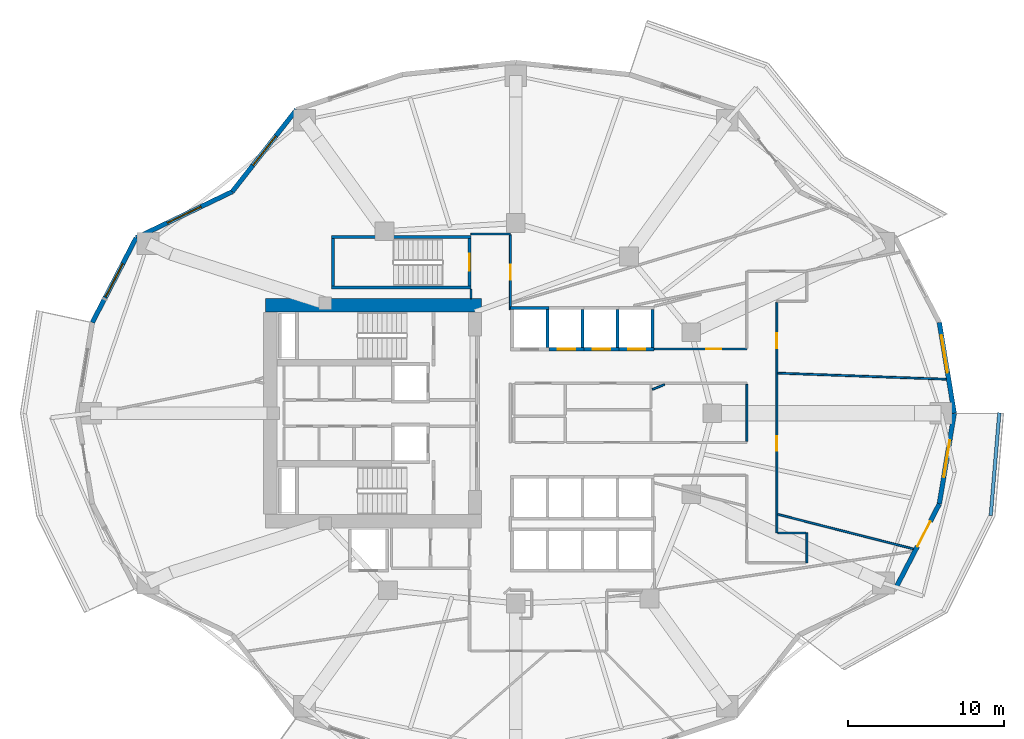
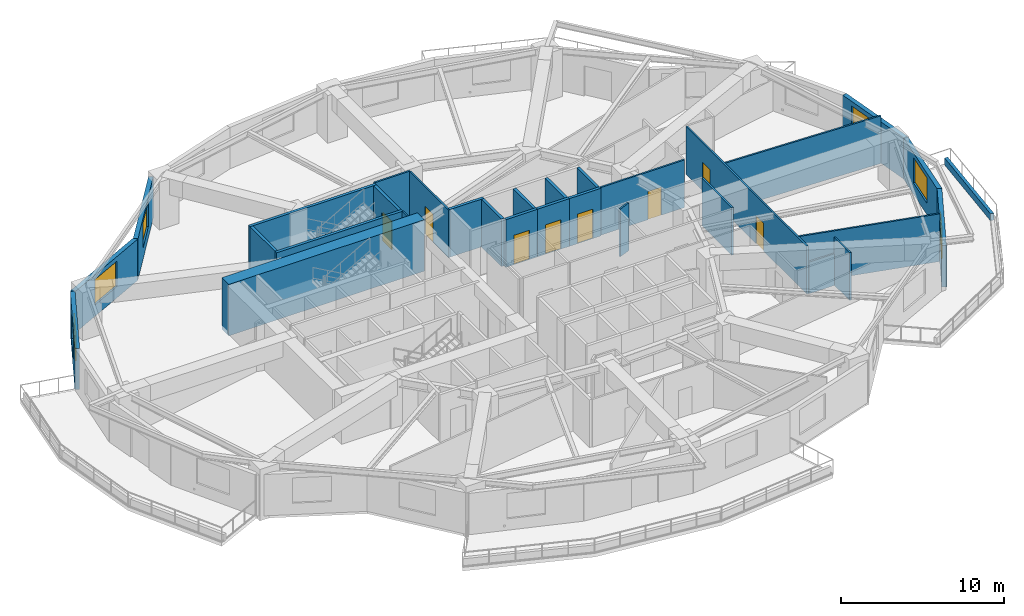
# One storey, part 6 of 13: 31 walls, 9 doors, 5 windows, 14 openings.
"""IFC4 building model written with IfcOpenShell, lengths in metres."""

import ifcopenshell
import ifcopenshell.guid

model = None  # the IFC model being written
_history = None  # IfcOwnerHistory: only IFC2X3 demands one
_inside = {}  # id of a spatial element -> (the spatial element, [elements in it])
_under = {}  # id of a project, library or spatial element -> (it, [spatial elements below it])
_declared = {}  # id of a project -> (the project, [libraries it declares])
_typed = {}  # id of a type object -> (the type object, [elements of that type])
_made_of = {}  # id of a material, layer set ... -> (it, [elements and type objects made of it])


def new_model(schema):
    """Start an empty IFC model of exactly this schema.

    Asked for "IFC4X3", IfcOpenShell would pick the latest addendum, in which some entities
    have other attributes; the version numbers below select the first issue.
    IFC2X3 requires an IfcOwnerHistory on every rooted entity: one is made here for all.
    """
    global model, _history
    if schema == "IFC4X3":
        model = ifcopenshell.file(schema_version=(4, 3, 0, 0))
    else:
        model = ifcopenshell.file(schema=schema)
    _inside.clear()
    _under.clear()
    _declared.clear()
    _typed.clear()
    _made_of.clear()
    _history = None
    if model.schema == "IFC2X3":
        org = make("IfcOrganization", Name="unknown")
        user = make(
            "IfcPersonAndOrganization",
            ThePerson=make("IfcPerson", FamilyName="unknown"),
            TheOrganization=org,
        )
        app = make(
            "IfcApplication",
            ApplicationDeveloper=org,
            Version="unknown",
            ApplicationFullName="unknown",
            ApplicationIdentifier="unknown",
        )
        _history = make(
            "IfcOwnerHistory",
            OwningUser=user,
            OwningApplication=app,
            ChangeAction="ADDED",
            CreationDate=0,
        )
    return model


def make(cls, **values):
    """One entity of the class cls with the attributes given. An attribute that is None is left unset."""
    return model.create_entity(
        cls, **{name: value for name, value in values.items() if value is not None}
    )


def rooted(cls, **values):
    """An entity with a GlobalId (a new one), such as an element, a storey or a relation."""
    return make(cls, GlobalId=ifcopenshell.guid.new(), OwnerHistory=_history, **values)


def si_unit(unit_type, name, prefix=None):
    """IfcSIUnit, for example si_unit("LENGTHUNIT", "METRE", prefix="MILLI")."""
    return make("IfcSIUnit", UnitType=unit_type, Prefix=prefix, Name=name)


def assignment(units):
    """IfcUnitAssignment: the units of a project."""
    return None if units is None else make("IfcUnitAssignment", Units=units)


def point(xyz):
    """IfcCartesianPoint."""
    return None if xyz is None else make("IfcCartesianPoint", Coordinates=xyz)


def direction(xyz):
    """IfcDirection."""
    return None if xyz is None else make("IfcDirection", DirectionRatios=xyz)


def frame(location, z_axis=None, x_axis=None):
    """IfcAxis2Placement3D, a coordinate frame: its origin and axes. An axis left out is left unset."""
    return make(
        "IfcAxis2Placement3D",
        Location=point(location),
        Axis=direction(z_axis),
        RefDirection=direction(x_axis),
    )


def frame_2d(location, x_axis=None):
    """IfcAxis2Placement2D, a coordinate frame in the plane: its origin and x axis."""
    return make(
        "IfcAxis2Placement2D", Location=point(location), RefDirection=direction(x_axis)
    )


def origin():
    """The frame at (0, 0, 0) with its axes left unset."""
    return frame((0.0, 0.0, 0.0))


def place(relative_to, where):
    """IfcLocalPlacement: puts the frame where relative to a parent placement (None: the world)."""
    return make(
        "IfcLocalPlacement", PlacementRelTo=relative_to, RelativePlacement=where
    )


def context(
    kind, dimensions, precision=None, world=None, true_north=None, identifier=None
):
    """IfcGeometricRepresentationContext, for example the 3D "Model" context."""
    return make(
        "IfcGeometricRepresentationContext",
        ContextIdentifier=identifier,
        ContextType=kind,
        CoordinateSpaceDimension=dimensions,
        Precision=precision,
        WorldCoordinateSystem=world,
        TrueNorth=true_north,
    )


def subcontext(parent, identifier, kind, view, scale=None):
    """IfcGeometricRepresentationSubContext, for example "Body" below "Model"."""
    return make(
        "IfcGeometricRepresentationSubContext",
        ContextIdentifier=identifier,
        ContextType=kind,
        ParentContext=parent,
        TargetScale=scale,
        TargetView=view,
    )


def project(units=None, contexts=None):
    """IfcProject with its units and contexts."""
    return rooted(
        "IfcProject",
        Name="project",
        RepresentationContexts=contexts,
        UnitsInContext=assignment(units),
    )


def spatial(cls, under=None, at=None, **own):
    """A site, building, storey or space (cls), placed at a placement, below another one or the project."""
    s = rooted(cls, ObjectPlacement=at, **own)
    if under is not None:
        _under.setdefault(under.id(), (under, []))[1].append(s)
    return s


def profile(cls, at=None, kind="AREA", **sizes):
    """A parametric profile (cls). Its sizes go by their IFC names, for example OverallWidth=200.0."""
    return make(cls, ProfileType=kind, Position=at, **sizes)


def rectangle(**sizes):
    """IfcRectangleProfileDef."""
    return profile("IfcRectangleProfileDef", **sizes)


def extrude(swept, where, along, depth):
    """IfcExtrudedAreaSolid: the profile swept, set in the frame where, extruded along a direction by depth."""
    return make(
        "IfcExtrudedAreaSolid",
        SweptArea=swept,
        Position=where,
        ExtrudedDirection=direction(along),
        Depth=depth,
    )


def shape(context_of_items, identifier, shape_type, items):
    """IfcShapeRepresentation: the items that make up one representation, for example the "Body"."""
    return make(
        "IfcShapeRepresentation",
        ContextOfItems=context_of_items,
        RepresentationIdentifier=identifier,
        RepresentationType=shape_type,
        Items=items,
    )


def material(Name=None, Category=None):
    """IfcMaterial."""
    return make("IfcMaterial", Name=Name, Category=Category)


def layer(
    of_material, thickness, ventilated=None, Name=None, Category=None, Priority=None
):
    """IfcMaterialLayer: one layer of a wall or slab, of a material (None: an air gap)."""
    return make(
        "IfcMaterialLayer",
        Material=of_material,
        LayerThickness=thickness,
        IsVentilated=ventilated,
        Name=Name,
        Category=Category,
        Priority=Priority,
    )


def layer_set(layers, Name=None):
    """IfcMaterialLayerSet."""
    return make("IfcMaterialLayerSet", MaterialLayers=layers, LayerSetName=Name)


def made_of(thing, what):
    """Note that an element or type object is made of a material, layer set ...; save() writes the relation."""
    if what is not None:
        _made_of.setdefault(what.id(), (what, []))[1].append(thing)
    return thing


def type_object(cls, material=None, **own):
    """A type object (cls), such as IfcWallType, which elements share."""
    return made_of(rooted(cls, **own), material)


def element(
    cls,
    number,
    at=None,
    inside=None,
    cuts=None,
    type_object=None,
    material=None,
    context=None,
    identifier="Body",
    shape_type=None,
    held_by="IfcProductDefinitionShape",
    body=None,
    shapes=None,
    **own,
):
    """One element of the class cls, such as IfcWall. Its Tag is "e" and its number.

    at: its placement. inside: the storey or other place that contains it. cuts: it is an
    opening in that element (IfcRelVoidsElement). A single representation is given by context,
    identifier, shape_type and body (its items); several are given by shapes. held_by: the class
    of the entity that holds the representations. save() writes the other relations.
    """
    e = rooted(cls, Tag="e%d" % number, ObjectPlacement=at, **own)
    if body is not None:
        shapes = [shape(context, identifier, shape_type, body)]
    if shapes is not None:
        e.Representation = make(held_by, Representations=shapes)
    if inside is not None:
        _inside.setdefault(inside.id(), (inside, []))[1].append(e)
    if cuts is not None:
        rooted(
            "IfcRelVoidsElement", RelatingBuildingElement=cuts, RelatedOpeningElement=e
        )
    if type_object is not None:
        _typed.setdefault(type_object.id(), (type_object, []))[1].append(e)
    return made_of(e, material)


def fill(opening, filler):
    """IfcRelFillsElement: the door or window that sits in an opening."""
    return rooted(
        "IfcRelFillsElement",
        RelatingOpeningElement=opening,
        RelatedBuildingElement=filler,
    )


def aggregate(whole, parts):
    """IfcRelAggregates: a whole, such as a stair, and the parts it consists of."""
    return rooted("IfcRelAggregates", RelatingObject=whole, RelatedObjects=parts)


def save(model, path):
    """Write the relations noted so far, then the file.

    IfcRelAggregates (storeys below a building ...), IfcRelContainedInSpatialStructure (elements
    in a storey), IfcRelDefinesByType, IfcRelAssociatesMaterial and IfcRelDeclares: one each for
    every whole, place, type object, material and project.
    """
    for whole, parts in _under.values():
        aggregate(whole, parts)
    for where, things in _inside.values():
        rooted(
            "IfcRelContainedInSpatialStructure",
            RelatedElements=things,
            RelatingStructure=where,
        )
    for kind, things in _typed.values():
        rooted("IfcRelDefinesByType", RelatedObjects=things, RelatingType=kind)
    for what, things in _made_of.values():
        rooted("IfcRelAssociatesMaterial", RelatedObjects=things, RelatingMaterial=what)
    for by, libraries in _declared.values():
        rooted("IfcRelDeclares", RelatingContext=by, RelatedDefinitions=libraries)
    model.write(path)


model = new_model("IFC4")

# Units and contexts
model_context = context("Model", 3, precision=1e-05, world=origin(), true_north=direction((0.0, 1.0)))
body_context = subcontext(model_context, "Body", "Model", "MODEL_VIEW")
ifc_project = project(units=[si_unit("LENGTHUNIT", "METRE"), si_unit("AREAUNIT", "SQUARE_METRE"), si_unit("VOLUMEUNIT", "CUBIC_METRE"), si_unit("PLANEANGLEUNIT", "RADIAN"), si_unit("MASSUNIT", "GRAM", prefix="KILO")], contexts=[model_context])

# Site, building, storey
site_placement = place(None, origin())
site = spatial("IfcSite", under=ifc_project, at=site_placement, CompositionType="ELEMENT")
building_placement = place(site_placement, origin())
building = spatial("IfcBuilding", under=site, at=building_placement, Name="Kolvaren Gate Tower and Convention Centre", CompositionType="ELEMENT")
storey_placement = place(building_placement, frame((0.0, 0.0, 49.60009765625)))
storey = spatial("IfcBuildingStorey", under=building, at=storey_placement, Name="L11", CompositionType="ELEMENT", Elevation=49.60009765625)

# Walls
ifc_material_1 = material(Name="Fire-Rated Acoustic Gypsum Stud Partition", Category="gypsum")
ifc_layer_1 = layer(ifc_material_1, 0.1201171875)
ifc_layer_set_1 = layer_set([ifc_layer_1], Name="Fire-Rated Acoustic Gypsum Stud Partition")
wall_type_1 = type_object("IfcWallType", Name="ARCH-WL-PART-120", PredefinedType="PARTITIONING", material=ifc_layer_set_1)
wall_1_placement = place(storey_placement, frame((27.25, 34.35205078125, 0.0), z_axis=(0.0, 0.0, 1.0), x_axis=(0.0, 1.0, 0.0)))
element("IfcWall", 1, at=wall_1_placement, inside=storey, type_object=wall_type_1, Name="Interior Partition WL-L11-INT-026", PredefinedType="PARTITIONING", context=body_context, shape_type="SweptSolid", body=[
    extrude(rectangle(XDim=0.60595703125, YDim=0.1201171875, at=frame_2d((0.302978515625, 0.0))), origin(), (0.0, 0.0, 1.0), 3.56982421875),
])
wall_2_placement = place(storey_placement, frame((27.25, 38.5, 0.0), z_axis=(0.0, 0.0, 1.0), x_axis=(1.0, 0.0, 0.0)))
element("IfcWall", 2, at=wall_2_placement, inside=storey, type_object=wall_type_1, Name="Interior Partition WL-L11-INT-027", PredefinedType="PARTITIONING", context=body_context, shape_type="SweptSolid", body=[
    extrude(rectangle(XDim=2.530029296875, YDim=0.1201171875, at=frame_2d((1.26513671875, 0.0))), origin(), (0.0, 0.0, 1.0), 3.56982421875),
])

# Wall, opening, door
wall_3_placement = place(storey_placement, frame((29.780029296875, 33.639892578125, 0.0), z_axis=(0.0, 0.0, 1.0), x_axis=(0.0, 1.0, 0.0)))
wall_3 = element("IfcWall", 3, at=wall_3_placement, inside=storey, type_object=wall_type_1, Name="Interior Partition WL-L11-INT-030", PredefinedType="PARTITIONING", context=body_context, shape_type="SweptSolid", body=[
    extrude(rectangle(XDim=4.798095703125, YDim=0.1201171875, at=frame_2d((2.39892578125, 0.0))), origin(), (0.0, 0.0, 1.0), 3.56982421875),
])
opening_1_placement = place(wall_3_placement, frame((1.924072265625, 0.0, 0.0)))
opening_1 = element("IfcOpeningElement", 4, at=opening_1_placement, cuts=wall_3, Name="Opening DR-01", PredefinedType="OPENING", context=body_context, shape_type="SweptSolid", body=[
    extrude(rectangle(XDim=0.949951171875, YDim=2.10009765625, at=frame_2d((0.47509765625, 1.050048828125))), frame((0.0, 0.070068359375, 0.0), z_axis=(0.0, -1.0, 0.0), x_axis=(1.0, 0.0, 0.0)), (0.0, 0.0, 1.0), 0.14013671875),
])
ifc_material_2 = material(Name="Painted Architectural Steelwork ASTM A500 Grade C 345 MPa", Category="steel")
door_type_1 = type_object("IfcDoorType", Name="ARCH-DR-RISER-950", OperationType="SINGLE_SWING_RIGHT", PredefinedType="DOOR", material=ifc_material_2)
door_1_placement = place(opening_1_placement, origin())
door_1 = element("IfcDoor", 5, at=door_1_placement, inside=storey, type_object=door_type_1, Name="Open-Plan Office Suite Door", OperationType="SINGLE_SWING_LEFT", OverallHeight=2.10009765625, OverallWidth=0.949951171875, PredefinedType="DOOR", context=body_context, shape_type="SweptSolid", body=[
    extrude(rectangle(XDim=0.949951171875, YDim=2.10009765625, at=frame_2d((0.47509765625, 1.050048828125))), frame((0.0, 0.02490234375, 0.0), z_axis=(0.0, -1.0, 0.0), x_axis=(1.0, 0.0, 0.0)), (0.0, 0.0, 1.0), 0.050048828125),
])
fill(opening_1, door_1)

wall_4_placement = place(storey_placement, frame((39.02001953125, 31.1201171875, 0.0), z_axis=(0.0, 0.0, 1.0), x_axis=(1.0, 0.0, 0.0)))
wall_4 = element("IfcWall", 6, at=wall_4_placement, inside=storey, type_object=wall_type_1, Name="Interior Partition WL-L11-INT-031", PredefinedType="PARTITIONING", context=body_context, shape_type="SweptSolid", body=[
    extrude(rectangle(XDim=5.929931640625, YDim=0.1201171875, at=frame_2d((2.96484375, 0.0))), origin(), (0.0, 0.0, 1.0), 3.56982421875),
])
opening_2_placement = place(wall_4_placement, frame((3.330078125, 0.0, 0.0)))
opening_2 = element("IfcOpeningElement", 7, at=opening_2_placement, cuts=wall_4, Name="Opening DR-01", PredefinedType="OPENING", context=body_context, shape_type="SweptSolid", body=[
    extrude(rectangle(XDim=0.949951171875, YDim=2.10009765625, at=frame_2d((0.47509765625, 1.050048828125))), frame((0.0, 0.070068359375, 0.0), z_axis=(0.0, -1.0, 0.0), x_axis=(1.0, 0.0, 0.0)), (0.0, 0.0, 1.0), 0.14013671875),
])
door_2_placement = place(opening_2_placement, origin())
door_2 = element("IfcDoor", 8, at=door_2_placement, inside=storey, type_object=door_type_1, Name="Quiet Reading Library Door", OperationType="SINGLE_SWING_LEFT", OverallHeight=2.10009765625, OverallWidth=0.949951171875, PredefinedType="DOOR", context=body_context, shape_type="SweptSolid", body=[
    extrude(rectangle(XDim=0.949951171875, YDim=2.10009765625, at=frame_2d((0.47509765625, 1.050048828125))), frame((0.0, 0.02490234375, 0.0), z_axis=(0.0, -1.0, 0.0), x_axis=(1.0, 0.0, 0.0)), (0.0, 0.0, 1.0), 0.050048828125),
])
fill(opening_2, door_2)

# Walls
wall_5_placement = place(storey_placement, frame((44.949951171875, 25.197021484375, 0.0), z_axis=(0.0, 0.0, 1.0), x_axis=(0.0, 1.0, 0.0)))
element("IfcWall", 9, at=wall_5_placement, inside=storey, type_object=wall_type_1, Name="Interior Partition WL-L11-INT-033", PredefinedType="PARTITIONING", context=body_context, shape_type="SweptSolid", body=[
    extrude(rectangle(XDim=3.64599609375, YDim=0.1201171875, at=frame_2d((1.822998046875, 0.0))), origin(), (0.0, 0.0, 1.0), 3.56982421875),
])
wall_6_placement = place(storey_placement, frame((48.800048828125, 17.39990234375, 0.0), z_axis=(0.0, 0.0, 1.0), x_axis=(0.0, 1.0, 0.0)))
element("IfcWall", 10, at=wall_6_placement, inside=storey, type_object=wall_type_1, Name="Interior Partition WL-L11-INT-036", PredefinedType="PARTITIONING", context=body_context, shape_type="SweptSolid", body=[
    extrude(rectangle(XDim=1.920166015625, YDim=0.1201171875, at=frame_2d((0.9599609375, 0.0))), origin(), (0.0, 0.0, 1.0), 3.56982421875),
])

# Wall, openings, doors
wall_7_placement = place(storey_placement, frame((46.8701171875, 19.320068359375, 0.0), z_axis=(0.0, 0.0, 1.0), x_axis=(0.0, 1.0, 0.0)))
wall_7 = element("IfcWall", 11, at=wall_7_placement, inside=storey, type_object=wall_type_1, Name="Interior Partition WL-L11-INT-039", PredefinedType="PARTITIONING", context=body_context, shape_type="SweptSolid", body=[
    extrude(rectangle(XDim=14.7978515625, YDim=0.1201171875, at=frame_2d((7.39892578125, 0.0))), origin(), (0.0, 0.0, 1.0), 3.56982421875),
])
opening_3_placement = place(wall_7_placement, frame((5.264892578125, 0.0, 0.0)))
opening_3 = element("IfcOpeningElement", 12, at=opening_3_placement, cuts=wall_7, Name="Opening DR-01", PredefinedType="OPENING", context=body_context, shape_type="SweptSolid", body=[
    extrude(rectangle(XDim=0.949951171875, YDim=2.10009765625, at=frame_2d((0.47509765625, 1.050048828125))), frame((0.0, 0.070068359375, 0.0), z_axis=(0.0, -1.0, 0.0), x_axis=(1.0, 0.0, 0.0)), (0.0, 0.0, 1.0), 0.14013671875),
])
opening_4_placement = place(wall_7_placement, frame((11.845458984375, 0.0, 0.0)))
opening_4 = element("IfcOpeningElement", 13, at=opening_4_placement, cuts=wall_7, Name="Opening DR-01", PredefinedType="OPENING", context=body_context, shape_type="SweptSolid", body=[
    extrude(rectangle(XDim=0.949951171875, YDim=2.10009765625, at=frame_2d((0.47509765625, 1.050048828125))), frame((0.0, 0.070068359375, 0.0), z_axis=(0.0, -1.0, 0.0), x_axis=(1.0, 0.0, 0.0)), (0.0, 0.0, 1.0), 0.14013671875),
])
door_3_placement = place(opening_3_placement, origin())
door_3 = element("IfcDoor", 14, at=door_3_placement, inside=storey, type_object=door_type_1, Name="Open-Plan Office Suite Door", OperationType="SINGLE_SWING_RIGHT", OverallHeight=2.10009765625, OverallWidth=0.949951171875, PredefinedType="DOOR", context=body_context, shape_type="SweptSolid", body=[
    extrude(rectangle(XDim=0.949951171875, YDim=2.10009765625, at=frame_2d((0.47509765625, 1.050048828125))), frame((0.0, 0.02490234375, 0.0), z_axis=(0.0, -1.0, 0.0), x_axis=(1.0, 0.0, 0.0)), (0.0, 0.0, 1.0), 0.050048828125),
])
fill(opening_3, door_3)
door_4_placement = place(opening_4_placement, origin())
door_4 = element("IfcDoor", 15, at=door_4_placement, inside=storey, type_object=door_type_1, Name="Staff Wellness Clubroom Door", OperationType="SINGLE_SWING_RIGHT", OverallHeight=2.10009765625, OverallWidth=0.949951171875, PredefinedType="DOOR", context=body_context, shape_type="SweptSolid", body=[
    extrude(rectangle(XDim=0.949951171875, YDim=2.10009765625, at=frame_2d((0.47509765625, 1.050048828125))), frame((0.0, 0.02490234375, 0.0), z_axis=(0.0, -1.0, 0.0), x_axis=(1.0, 0.0, 0.0)), (0.0, 0.0, 1.0), 0.050048828125),
])
fill(opening_4, door_4)

# Walls
wall_8_placement = place(storey_placement, frame((46.931884765625, 19.320068359375, 0.0), z_axis=(0.0, 0.0, 1.0), x_axis=(1.0, 0.0, 0.0)))
element("IfcWall", 16, at=wall_8_placement, inside=storey, type_object=wall_type_1, Name="Interior Partition WL-L11-INT-040", PredefinedType="PARTITIONING", context=body_context, shape_type="SweptSolid", body=[
    extrude(rectangle(XDim=1.80615234375, YDim=0.1201171875, at=frame_2d((0.903076171875, 0.0))), origin(), (0.0, 0.0, 1.0), 2.3623046875),
])
wall_9_placement = place(storey_placement, frame((46.931884765625, 20.512451171875, 0.0), z_axis=(0.0, 0.0, 1.0), x_axis=(0.969002278344, -0.247051785187, 0.0)))
element("IfcWall", 17, at=wall_9_placement, inside=storey, type_object=wall_type_1, Name="Interior Partition WL-L11-INT-052", PredefinedType="PARTITIONING", context=body_context, shape_type="SweptSolid", body=[
    extrude(rectangle(XDim=8.97509765625, YDim=0.1201171875, at=frame_2d((4.487548828125, 0.0))), origin(), (0.0, 0.0, 1.0), 3.56982421875),
])
wall_10_placement = place(storey_placement, frame((46.931884765625, 29.57080078125, 0.0), z_axis=(0.0, 0.0, 1.0), x_axis=(0.999348798182, -0.036082954031, 0.0)))
element("IfcWall", 18, at=wall_10_placement, inside=storey, type_object=wall_type_1, Name="Interior Partition WL-L11-INT-057", PredefinedType="PARTITIONING", context=body_context, shape_type="SweptSolid", body=[
    extrude(rectangle(XDim=10.812255859375, YDim=0.1201171875, at=frame_2d((5.40625, 0.0))), origin(), (0.0, 0.0, 1.0), 3.56982421875),
])
wall_11_placement = place(storey_placement, frame((38.876953125, 28.522216796875, 0.0), z_axis=(0.0, 0.0, 1.0), x_axis=(0.927133255937, 0.374731805076, 0.0)))
element("IfcWall", 19, at=wall_11_placement, inside=storey, type_object=wall_type_1, Name="Interior Partition WL-L11-INT-058", PredefinedType="PARTITIONING", context=body_context, shape_type="SweptSolid", body=[
    extrude(rectangle(XDim=0.856201171875, YDim=0.1201171875, at=frame_2d((0.42822265625, 0.0))), origin(), (0.0, 0.0, 1.0), 3.56982421875),
])
ifc_material_3 = material(Name="Piedmont Cream Honed Limestone Cladding", Category="masonry")
ifc_layer_2 = layer(ifc_material_3, 0.219970703125)
ifc_layer_set_2 = layer_set([ifc_layer_2], Name="Piedmont Cream Honed Limestone Cladding")
wall_type_2 = type_object("IfcWallType", Name="ARCH-WL-PLANTER-220", PredefinedType="PARAPET", material=ifc_layer_set_2)
wall_12_placement = place(storey_placement, frame((60.592041015625, 20.439208984375, 0.0), z_axis=(0.0, 0.0, 1.0), x_axis=(0.08310047353, 0.996541173911, 0.0)))
element("IfcWall", 20, at=wall_12_placement, inside=storey, type_object=wall_type_2, Name="Vertical-Forest Balcony Stone Planter Kerb PK-L11-4.3", PredefinedType="PARAPET", context=body_context, shape_type="SweptSolid", body=[
    extrude(rectangle(XDim=6.61328125, YDim=0.219970703125, at=frame_2d((3.306640625, 0.0))), origin(), (0.0, 0.0, 1.0), 0.52001953125),
])
ifc_material_4 = material(Name="Autoclaved Aerated Masonry Blockwork Class 4 (4.0 MPa)", Category="masonry")
ifc_layer_3 = layer(ifc_material_4, 0.199951171875)
ifc_layer_set_3 = layer_set([ifc_layer_3], Name="Autoclaved Aerated Masonry Blockwork Class 4 (4.0 MPa)")
wall_type_3 = type_object("IfcWallType", Name="ARCH-WL-SHAFT-200", PredefinedType="SOLIDWALL", material=ifc_layer_set_3)
wall_13_placement = place(storey_placement, frame((29.800048828125, 33.75, 0.0), z_axis=(0.0, 0.0, 1.0), x_axis=(1.0, 0.0, 0.0)))
element("IfcWall", 21, at=wall_13_placement, inside=storey, type_object=wall_type_3, Name="Elevator PL-01 L11 Fire Shaft Wall N", PredefinedType="SOLIDWALL", context=body_context, shape_type="SweptSolid", body=[
    extrude(rectangle(XDim=2.449951171875, YDim=0.199951171875, at=frame_2d((1.22509765625, 0.0))), origin(), (0.0, 0.0, 1.0), 3.56982421875),
])
wall_14_placement = place(storey_placement, frame((32.14990234375, 31.2099609375, 0.0), z_axis=(0.0, 0.0, 1.0), x_axis=(0.0, 1.0, 0.0)))
element("IfcWall", 22, at=wall_14_placement, inside=storey, type_object=wall_type_3, Name="Elevator PL-01 L11 Fire Shaft Wall E", PredefinedType="SOLIDWALL", context=body_context, shape_type="SweptSolid", body=[
    extrude(rectangle(XDim=2.429931640625, YDim=0.199951171875, at=frame_2d((1.21484375, 0.0))), origin(), (0.0, 0.0, 1.0), 3.56982421875),
])

# Wall, opening, door
wall_15_placement = place(storey_placement, frame((32.25, 31.10009765625, 0.0), z_axis=(0.0, 0.0, 1.0), x_axis=(1.0, 0.0, 0.0)))
wall_15 = element("IfcWall", 23, at=wall_15_placement, inside=storey, type_object=wall_type_3, Name="Elevator PL-02 L11 Fire Shaft Wall S", PredefinedType="SOLIDWALL", context=body_context, shape_type="SweptSolid", body=[
    extrude(rectangle(XDim=2.25, YDim=0.199951171875, at=frame_2d((1.125, 0.0))), origin(), (0.0, 0.0, 1.0), 3.56982421875),
])
opening_5_placement = place(wall_15_placement, frame((0.574951171875, 0.0, 0.0)))
opening_5 = element("IfcOpeningElement", 24, at=opening_5_placement, cuts=wall_15, Name="Opening LD", PredefinedType="OPENING", context=body_context, shape_type="SweptSolid", body=[
    extrude(rectangle(XDim=1.10009765625, YDim=2.199951171875, at=frame_2d((0.550048828125, 1.10009765625))), frame((0.0, 0.10986328125, 0.0), z_axis=(0.0, -1.0, 0.0), x_axis=(1.0, 0.0, 0.0)), (0.0, 0.0, 1.0), 0.219970703125),
])
ifc_material_5 = material(Name="Brushed Stainless Steel Grade 316L", Category="steel")
door_type_2 = type_object("IfcDoorType", Name="ARCH-DR-LIFT-1100", OperationType="SLIDING_TO_LEFT", PredefinedType="DOOR", material=ifc_material_5)
door_5_placement = place(opening_5_placement, origin())
door_5 = element("IfcDoor", 25, at=door_5_placement, inside=storey, type_object=door_type_2, Name="Elevator PL-02 L11 Sliding Landing Door", OperationType="SLIDING_TO_LEFT", OverallHeight=2.199951171875, OverallWidth=1.10009765625, PredefinedType="DOOR", context=body_context, shape_type="SweptSolid", body=[
    extrude(rectangle(XDim=1.10009765625, YDim=2.199951171875, at=frame_2d((0.550048828125, 1.10009765625))), frame((0.0, 0.02490234375, 0.0), z_axis=(0.0, -1.0, 0.0), x_axis=(1.0, 0.0, 0.0)), (0.0, 0.0, 1.0), 0.050048828125),
])
fill(opening_5, door_5)

# Wall
wall_16_placement = place(storey_placement, frame((34.39990234375, 31.2099609375, 0.0), z_axis=(0.0, 0.0, 1.0), x_axis=(0.0, 1.0, 0.0)))
element("IfcWall", 26, at=wall_16_placement, inside=storey, type_object=wall_type_3, Name="Elevator PL-02 L11 Fire Shaft Wall E", PredefinedType="SOLIDWALL", context=body_context, shape_type="SweptSolid", body=[
    extrude(rectangle(XDim=2.429931640625, YDim=0.199951171875, at=frame_2d((1.21484375, 0.0))), origin(), (0.0, 0.0, 1.0), 3.56982421875),
])

# Wall, opening, door
wall_17_placement = place(storey_placement, frame((34.5, 31.10009765625, 0.0), z_axis=(0.0, 0.0, 1.0), x_axis=(1.0, 0.0, 0.0)))
wall_17 = element("IfcWall", 27, at=wall_17_placement, inside=storey, type_object=wall_type_3, Name="Elevator PL-03 L11 Fire Shaft Wall S", PredefinedType="SOLIDWALL", context=body_context, shape_type="SweptSolid", body=[
    extrude(rectangle(XDim=2.25, YDim=0.199951171875, at=frame_2d((1.125, 0.0))), origin(), (0.0, 0.0, 1.0), 3.56982421875),
])
opening_6_placement = place(wall_17_placement, frame((0.574951171875, 0.0, 0.0)))
opening_6 = element("IfcOpeningElement", 28, at=opening_6_placement, cuts=wall_17, Name="Opening LD", PredefinedType="OPENING", context=body_context, shape_type="SweptSolid", body=[
    extrude(rectangle(XDim=1.10009765625, YDim=2.199951171875, at=frame_2d((0.550048828125, 1.10009765625))), frame((0.0, 0.10986328125, 0.0), z_axis=(0.0, -1.0, 0.0), x_axis=(1.0, 0.0, 0.0)), (0.0, 0.0, 1.0), 0.219970703125),
])
door_6_placement = place(opening_6_placement, origin())
door_6 = element("IfcDoor", 29, at=door_6_placement, inside=storey, type_object=door_type_2, Name="Elevator PL-03 L11 Sliding Landing Door", OperationType="SLIDING_TO_LEFT", OverallHeight=2.199951171875, OverallWidth=1.10009765625, PredefinedType="DOOR", context=body_context, shape_type="SweptSolid", body=[
    extrude(rectangle(XDim=1.10009765625, YDim=2.199951171875, at=frame_2d((0.550048828125, 1.10009765625))), frame((0.0, 0.02490234375, 0.0), z_axis=(0.0, -1.0, 0.0), x_axis=(1.0, 0.0, 0.0)), (0.0, 0.0, 1.0), 0.050048828125),
])
fill(opening_6, door_6)

# Wall
wall_18_placement = place(storey_placement, frame((36.64990234375, 31.2099609375, 0.0), z_axis=(0.0, 0.0, 1.0), x_axis=(0.0, 1.0, 0.0)))
element("IfcWall", 30, at=wall_18_placement, inside=storey, type_object=wall_type_3, Name="Elevator PL-03 L11 Fire Shaft Wall E", PredefinedType="SOLIDWALL", context=body_context, shape_type="SweptSolid", body=[
    extrude(rectangle(XDim=2.429931640625, YDim=0.199951171875, at=frame_2d((1.21484375, 0.0))), origin(), (0.0, 0.0, 1.0), 3.56982421875),
])

# Wall, opening, door
wall_19_placement = place(storey_placement, frame((36.75, 31.10009765625, 0.0), z_axis=(0.0, 0.0, 1.0), x_axis=(1.0, 0.0, 0.0)))
wall_19 = element("IfcWall", 31, at=wall_19_placement, inside=storey, type_object=wall_type_3, Name="Elevator PL-04 L11 Fire Shaft Wall S", PredefinedType="SOLIDWALL", context=body_context, shape_type="SweptSolid", body=[
    extrude(rectangle(XDim=2.25, YDim=0.199951171875, at=frame_2d((1.125, 0.0))), origin(), (0.0, 0.0, 1.0), 3.56982421875),
])
opening_7_placement = place(wall_19_placement, frame((0.574951171875, 0.0, 0.0)))
opening_7 = element("IfcOpeningElement", 32, at=opening_7_placement, cuts=wall_19, Name="Opening LD", PredefinedType="OPENING", context=body_context, shape_type="SweptSolid", body=[
    extrude(rectangle(XDim=1.10009765625, YDim=2.199951171875, at=frame_2d((0.550048828125, 1.10009765625))), frame((0.0, 0.10986328125, 0.0), z_axis=(0.0, -1.0, 0.0), x_axis=(1.0, 0.0, 0.0)), (0.0, 0.0, 1.0), 0.219970703125),
])
door_7_placement = place(opening_7_placement, origin())
door_7 = element("IfcDoor", 33, at=door_7_placement, inside=storey, type_object=door_type_2, Name="Elevator PL-04 L11 Sliding Landing Door", OperationType="SLIDING_TO_LEFT", OverallHeight=2.199951171875, OverallWidth=1.10009765625, PredefinedType="DOOR", context=body_context, shape_type="SweptSolid", body=[
    extrude(rectangle(XDim=1.10009765625, YDim=2.199951171875, at=frame_2d((0.550048828125, 1.10009765625))), frame((0.0, 0.02490234375, 0.0), z_axis=(0.0, -1.0, 0.0), x_axis=(1.0, 0.0, 0.0)), (0.0, 0.0, 1.0), 0.050048828125),
])
fill(opening_7, door_7)

# Wall
wall_20_placement = place(storey_placement, frame((38.89990234375, 31.2099609375, 0.0), z_axis=(0.0, 0.0, 1.0), x_axis=(0.0, 1.0, 0.0)))
element("IfcWall", 34, at=wall_20_placement, inside=storey, type_object=wall_type_3, Name="Elevator PL-04 L11 Fire Shaft Wall E", PredefinedType="SOLIDWALL", context=body_context, shape_type="SweptSolid", body=[
    extrude(rectangle(XDim=2.429931640625, YDim=0.199951171875, at=frame_2d((1.21484375, 0.0))), origin(), (0.0, 0.0, 1.0), 3.56982421875),
])

# Wall, opening, window
ifc_layer_4 = layer(ifc_material_3, 0.300048828125)
ifc_layer_set_4 = layer_set([ifc_layer_4], Name="Piedmont Cream Honed Limestone Cladding")
wall_type_4 = type_object("IfcWallType", Name="ARCH-WL-STONE-300", PredefinedType="SOLIDWALL", material=ifc_layer_set_4)
wall_21_placement = place(storey_placement, frame((57.291748046875, 32.823486328125, 0.0), z_axis=(0.0, 0.0, 1.0), x_axis=(0.162366057843, -0.98673059305, 0.0)))
wall_21 = element("IfcWall", 35, at=wall_21_placement, inside=storey, type_object=wall_type_4, Name="Tower L11 Honed Stone Spandrel Wall EW-00", PredefinedType="SOLIDWALL", context=body_context, shape_type="SweptSolid", body=[
    extrude(rectangle(XDim=5.90185546875, YDim=0.300048828125, at=frame_2d((2.950927734375, 0.0))), origin(), (0.0, 0.0, 1.0), 3.093017578125),
])
opening_8_placement = place(wall_21_placement, frame((0.85009765625, 0.0, 0.85009765625)))
opening_8 = element("IfcOpeningElement", 36, at=opening_8_placement, cuts=wall_21, Name="Opening W-01", PredefinedType="OPENING", context=body_context, shape_type="SweptSolid", body=[
    extrude(rectangle(XDim=2.39990234375, YDim=1.89990234375, at=frame_2d((1.199951171875, 0.949951171875))), frame((0.0, 0.159912109375, 0.0), z_axis=(0.0, -1.0, 0.0), x_axis=(1.0, 0.0, 0.0)), (0.0, 0.0, 1.0), 0.320068359375),
])
ifc_material_6 = material(Name="Low-E Triple Insulated Glazing Unit 44 mm", Category="glass")
window_type = type_object("IfcWindowType", Name="ARCH-WN-OFF-2400", PartitioningType="SINGLE_PANEL", PredefinedType="WINDOW", material=ifc_material_6)
window_1_placement = place(opening_8_placement, origin())
window_1 = element("IfcWindow", 37, at=window_1_placement, inside=storey, type_object=window_type, Name="Tower L11 Punched Stone Facade Window W-00", OverallHeight=1.89990234375, OverallWidth=2.39990234375, PartitioningType="SINGLE_PANEL", PredefinedType="WINDOW", context=body_context, shape_type="SweptSolid", body=[
    extrude(rectangle(XDim=2.39990234375, YDim=1.89990234375, at=frame_2d((1.199951171875, 0.949951171875))), frame((0.0, 0.030029296875, 0.0), z_axis=(0.0, -1.0, 0.0), x_axis=(1.0, 0.0, 0.0)), (0.0, 0.0, 1.0), 0.06005859375),
])
fill(opening_8, window_1)

wall_22_placement = place(storey_placement, frame((11.934814453125, 41.212890625, 0.0), z_axis=(0.0, 0.0, 1.0), x_axis=(0.616421309777, 0.787416515482, 0.0)))
wall_22 = element("IfcWall", 38, at=wall_22_placement, inside=storey, type_object=wall_type_4, Name="Tower L11 Honed Stone Spandrel Wall EW-08", PredefinedType="SOLIDWALL", context=body_context, shape_type="SweptSolid", body=[
    extrude(rectangle(XDim=6.6962890625, YDim=0.300048828125, at=frame_2d((3.34814453125, 0.0))), origin(), (0.0, 0.0, 1.0), 3.093017578125),
])
opening_9_placement = place(wall_22_placement, frame((2.14794921875, 0.0, 0.85009765625)))
opening_9 = element("IfcOpeningElement", 39, at=opening_9_placement, cuts=wall_22, Name="Opening W-01", PredefinedType="OPENING", context=body_context, shape_type="SweptSolid", body=[
    extrude(rectangle(XDim=2.39990234375, YDim=1.89990234375, at=frame_2d((1.199951171875, 0.949951171875))), frame((0.0, 0.159912109375, 0.0), z_axis=(0.0, -1.0, 0.0), x_axis=(1.0, 0.0, 0.0)), (0.0, 0.0, 1.0), 0.320068359375),
])
window_2_placement = place(opening_9_placement, origin())
window_2 = element("IfcWindow", 40, at=window_2_placement, inside=storey, type_object=window_type, Name="Tower L11 Punched Stone Facade Window W-08", OverallHeight=1.89990234375, OverallWidth=2.39990234375, PartitioningType="SINGLE_PANEL", PredefinedType="WINDOW", context=body_context, shape_type="SweptSolid", body=[
    extrude(rectangle(XDim=2.39990234375, YDim=1.89990234375, at=frame_2d((1.199951171875, 0.949951171875))), frame((0.0, 0.030029296875, 0.0), z_axis=(0.0, -1.0, 0.0), x_axis=(1.0, 0.0, 0.0)), (0.0, 0.0, 1.0), 0.06005859375),
])
fill(opening_9, window_2)

wall_23_placement = place(storey_placement, frame((5.76806640625, 38.25, 0.0), z_axis=(0.0, 0.0, 1.0), x_axis=(0.901360393999, 0.433069786673, 0.0)))
wall_23 = element("IfcWall", 41, at=wall_23_placement, inside=storey, type_object=wall_type_4, Name="Tower L11 Honed Stone Spandrel Wall EW-09", PredefinedType="SOLIDWALL", context=body_context, shape_type="SweptSolid", body=[
    extrude(rectangle(XDim=6.841552734375, YDim=0.300048828125, at=frame_2d((3.4208984375, 0.0))), origin(), (0.0, 0.0, 1.0), 3.093017578125),
])
opening_10_placement = place(wall_23_placement, frame((2.220947265625, 0.0, 0.85009765625)))
opening_10 = element("IfcOpeningElement", 42, at=opening_10_placement, cuts=wall_23, Name="Opening W-01", PredefinedType="OPENING", context=body_context, shape_type="SweptSolid", body=[
    extrude(rectangle(XDim=2.39990234375, YDim=1.89990234375, at=frame_2d((1.199951171875, 0.949951171875))), frame((0.0, 0.159912109375, 0.0), z_axis=(0.0, -1.0, 0.0), x_axis=(1.0, 0.0, 0.0)), (0.0, 0.0, 1.0), 0.320068359375),
])
window_3_placement = place(opening_10_placement, origin())
window_3 = element("IfcWindow", 43, at=window_3_placement, inside=storey, type_object=window_type, Name="Tower L11 Punched Stone Facade Window W-09", OverallHeight=1.89990234375, OverallWidth=2.39990234375, PartitioningType="SINGLE_PANEL", PredefinedType="WINDOW", context=body_context, shape_type="SweptSolid", body=[
    extrude(rectangle(XDim=2.39990234375, YDim=1.89990234375, at=frame_2d((1.199951171875, 0.949951171875))), frame((0.0, 0.030029296875, 0.0), z_axis=(0.0, -1.0, 0.0), x_axis=(1.0, 0.0, 0.0)), (0.0, 0.0, 1.0), 0.06005859375),
])
fill(opening_10, window_3)

wall_24_placement = place(storey_placement, frame((2.958251953125, 32.823486328125, 0.0), z_axis=(0.0, 0.0, 1.0), x_axis=(0.459809804413, 0.88801742312, 0.0)))
wall_24 = element("IfcWall", 44, at=wall_24_placement, inside=storey, type_object=wall_type_4, Name="Tower L11 Honed Stone Spandrel Wall EW-10", PredefinedType="SOLIDWALL", context=body_context, shape_type="SweptSolid", body=[
    extrude(rectangle(XDim=6.11083984375, YDim=0.300048828125, at=frame_2d((3.055419921875, 0.0))), origin(), (0.0, 0.0, 1.0), 3.093017578125),
])
opening_11_placement = place(wall_24_placement, frame((1.85498046875, 0.0, 0.85009765625)))
opening_11 = element("IfcOpeningElement", 45, at=opening_11_placement, cuts=wall_24, Name="Opening W-01", PredefinedType="OPENING", context=body_context, shape_type="SweptSolid", body=[
    extrude(rectangle(XDim=2.39990234375, YDim=1.89990234375, at=frame_2d((1.199951171875, 0.949951171875))), frame((0.0, 0.159912109375, 0.0), z_axis=(0.0, -1.0, 0.0), x_axis=(1.0, 0.0, 0.0)), (0.0, 0.0, 1.0), 0.320068359375),
])
window_4_placement = place(opening_11_placement, origin())
window_4 = element("IfcWindow", 46, at=window_4_placement, inside=storey, type_object=window_type, Name="Tower L11 Punched Stone Facade Window W-10", OverallHeight=1.89990234375, OverallWidth=2.39990234375, PartitioningType="SINGLE_PANEL", PredefinedType="WINDOW", context=body_context, shape_type="SweptSolid", body=[
    extrude(rectangle(XDim=2.39990234375, YDim=1.89990234375, at=frame_2d((1.199951171875, 0.949951171875))), frame((0.0, 0.030029296875, 0.0), z_axis=(0.0, -1.0, 0.0), x_axis=(1.0, 0.0, 0.0)), (0.0, 0.0, 1.0), 0.06005859375),
])
fill(opening_11, window_4)

# Wall, opening, door
wall_25_placement = place(storey_placement, frame((54.48193359375, 15.75, 0.0), z_axis=(0.0, 0.0, 1.0), x_axis=(0.459809804413, 0.88801742312, 0.0)))
wall_25 = element("IfcWall", 47, at=wall_25_placement, inside=storey, type_object=wall_type_4, Name="Tower L11 Honed Stone Spandrel Wall EW-22", PredefinedType="SOLIDWALL", context=body_context, shape_type="SweptSolid", body=[
    extrude(rectangle(XDim=6.11083984375, YDim=0.300048828125, at=frame_2d((3.055419921875, 0.0))), origin(), (0.0, 0.0, 1.0), 3.093017578125),
])
opening_12_placement = place(wall_25_placement, frame((3.050048828125, 0.0, 0.0)))
opening_12 = element("IfcOpeningElement", 48, at=opening_12_placement, cuts=wall_25, Name="Opening DB-01", PredefinedType="OPENING", context=body_context, shape_type="SweptSolid", body=[
    extrude(rectangle(XDim=1.800048828125, YDim=2.25, at=frame_2d((0.89990234375, 1.125))), frame((0.0, 0.159912109375, 0.0), z_axis=(0.0, -1.0, 0.0), x_axis=(1.0, 0.0, 0.0)), (0.0, 0.0, 1.0), 0.320068359375),
])
ifc_material_7 = material(Name="Anodized Architectural Aluminium Alloy 6063-T6", Category="aluminium")
door_type_3 = type_object("IfcDoorType", Name="ARCH-DR-BALC-1800", OperationType="SLIDING_TO_LEFT", PredefinedType="DOOR", material=ifc_material_7)
door_8_placement = place(opening_12_placement, frame((1.800048828125, 0.0, 0.0), z_axis=(0.0, 0.0, 1.0), x_axis=(-1.0, 0.0, 0.0)))
door_8 = element("IfcDoor", 49, at=door_8_placement, inside=storey, type_object=door_type_3, Name="Planted Sky Terrace Access Door DB-L11-22", OperationType="SLIDING_TO_LEFT", OverallHeight=2.25, OverallWidth=1.800048828125, PredefinedType="DOOR", context=body_context, shape_type="SweptSolid", body=[
    extrude(rectangle(XDim=1.800048828125, YDim=2.25, at=frame_2d((0.89990234375, 1.125))), frame((0.0, 0.02490234375, 0.0), z_axis=(0.0, -1.0, 0.0), x_axis=(1.0, 0.0, 0.0)), (0.0, 0.0, 1.0), 0.050048828125),
])
fill(opening_12, door_8)

# Wall, opening, window
wall_26_placement = place(storey_placement, frame((57.291748046875, 21.176513671875, 0.0), z_axis=(0.0, 0.0, 1.0), x_axis=(0.162366057843, 0.98673059305, 0.0)))
wall_26 = element("IfcWall", 50, at=wall_26_placement, inside=storey, type_object=wall_type_4, Name="Tower L11 Honed Stone Spandrel Wall EW-23", PredefinedType="SOLIDWALL", context=body_context, shape_type="SweptSolid", body=[
    extrude(rectangle(XDim=5.90185546875, YDim=0.300048828125, at=frame_2d((2.950927734375, 0.0))), origin(), (0.0, 0.0, 1.0), 3.093017578125),
])
opening_13_placement = place(wall_26_placement, frame((1.7509765625, 0.0, 0.85009765625)))
opening_13 = element("IfcOpeningElement", 51, at=opening_13_placement, cuts=wall_26, Name="Opening W-01", PredefinedType="OPENING", context=body_context, shape_type="SweptSolid", body=[
    extrude(rectangle(XDim=2.39990234375, YDim=1.89990234375, at=frame_2d((1.199951171875, 0.949951171875))), frame((0.0, 0.159912109375, 0.0), z_axis=(0.0, -1.0, 0.0), x_axis=(1.0, 0.0, 0.0)), (0.0, 0.0, 1.0), 0.320068359375),
])
window_5_placement = place(opening_13_placement, origin())
window_5 = element("IfcWindow", 52, at=window_5_placement, inside=storey, type_object=window_type, Name="Tower L11 Punched Stone Facade Window W-23", OverallHeight=1.89990234375, OverallWidth=2.39990234375, PartitioningType="SINGLE_PANEL", PredefinedType="WINDOW", context=body_context, shape_type="SweptSolid", body=[
    extrude(rectangle(XDim=2.39990234375, YDim=1.89990234375, at=frame_2d((1.199951171875, 0.949951171875))), frame((0.0, 0.030029296875, 0.0), z_axis=(0.0, -1.0, 0.0), x_axis=(1.0, 0.0, 0.0)), (0.0, 0.0, 1.0), 0.06005859375),
])
fill(opening_13, window_5)

# Wall
ifc_material_8 = material(Name="Concrete C70/85", Category="concrete")
ifc_layer_5 = layer(ifc_material_8, 0.85009765625)
ifc_layer_set_5 = layer_set([ifc_layer_5], Name="Concrete C70/85")
wall_type_5 = type_object("IfcWallType", Name="STR-WL-CORE-850", PredefinedType="SHEAR", material=ifc_layer_set_5)
wall_27_placement = place(storey_placement, frame((14.074951171875, 33.925048828125, -0.280029296875), z_axis=(0.0, 0.0, 1.0), x_axis=(1.0, 0.0, 0.0)))
element("IfcWall", 53, at=wall_27_placement, inside=storey, type_object=wall_type_5, Name="Tower L11 Offset Core Shear Wall N", PredefinedType="SHEAR", context=body_context, shape_type="SweptSolid", body=[
    extrude(rectangle(XDim=13.85009765625, YDim=0.85009765625, at=frame_2d((6.925048828125, 0.0))), origin(), (0.0, 0.0, 1.0), 3.849853515625),
])

# Wall, opening, door
ifc_material_9 = material(Name="Concrete C50/60", Category="concrete")
ifc_layer_6 = layer(ifc_material_9, 0.199951171875)
ifc_layer_set_6 = layer_set([ifc_layer_6], Name="Concrete C50/60")
wall_type_6 = type_object("IfcWallType", Name="STR-WL-SHAFT-200", PredefinedType="SHEAR", material=ifc_layer_set_6)
wall_28_placement = place(storey_placement, frame((27.14990234375, 35.159912109375, -0.280029296875), z_axis=(0.0, 0.0, 1.0), x_axis=(0.0, 1.0, 0.0)))
wall_28 = element("IfcWall", 54, at=wall_28_placement, inside=storey, type_object=wall_type_6, Name="Tower Mid-Zone Exit Stair ST-T3 L11 Structural Shear Enclosure Wall NEAR", PredefinedType="SHEAR", context=body_context, shape_type="SweptSolid", body=[
    extrude(rectangle(XDim=3.0400390625, YDim=0.199951171875, at=frame_2d((1.52001953125, 0.0))), origin(), (0.0, 0.0, 1.0), 3.849853515625),
])
opening_14_placement = place(wall_28_placement, frame((0.969970703125, 0.0, 0.280029296875)))
opening_14 = element("IfcOpeningElement", 55, at=opening_14_placement, cuts=wall_28, Name="Opening DS-01", PredefinedType="OPENING", context=body_context, shape_type="SweptSolid", body=[
    extrude(rectangle(XDim=1.10009765625, YDim=2.14990234375, at=frame_2d((0.550048828125, 1.074951171875))), frame((0.0, 0.10986328125, 0.0), z_axis=(0.0, -1.0, 0.0), x_axis=(1.0, 0.0, 0.0)), (0.0, 0.0, 1.0), 0.219970703125),
])
door_type_4 = type_object("IfcDoorType", Name="ARCH-DR-STAIR-1100", OperationType="SINGLE_SWING_LEFT", PredefinedType="DOOR", material=ifc_material_2)
door_9_placement = place(opening_14_placement, origin())
door_9 = element("IfcDoor", 56, at=door_9_placement, inside=storey, type_object=door_type_4, Name="Tower Mid-Zone Exit Stair ST-T3 L11 Fire Exit Stair Door", OperationType="SINGLE_SWING_LEFT", OverallHeight=2.14990234375, OverallWidth=1.10009765625, PredefinedType="DOOR", context=body_context, shape_type="SweptSolid", body=[
    extrude(rectangle(XDim=1.10009765625, YDim=2.14990234375, at=frame_2d((0.550048828125, 1.074951171875))), frame((0.0, 0.02490234375, 0.0), z_axis=(0.0, -1.0, 0.0), x_axis=(1.0, 0.0, 0.0)), (0.0, 0.0, 1.0), 0.050048828125),
])
fill(opening_14, door_9)

# Walls
wall_29_placement = place(storey_placement, frame((18.39990234375, 35.159912109375, -0.280029296875), z_axis=(0.0, 0.0, 1.0), x_axis=(0.0, 1.0, 0.0)))
element("IfcWall", 57, at=wall_29_placement, inside=storey, type_object=wall_type_6, Name="Tower Mid-Zone Exit Stair ST-T3 L11 Structural Shear Enclosure Wall FAR", PredefinedType="SHEAR", context=body_context, shape_type="SweptSolid", body=[
    extrude(rectangle(XDim=3.0400390625, YDim=0.199951171875, at=frame_2d((1.52001953125, 0.0))), origin(), (0.0, 0.0, 1.0), 3.849853515625),
])
for number, where, z_axis, x_axis, name in (
    (58, (18.300048828125, 38.300048828125, -0.280029296875), (0.0, 0.0, 1.0), (1.0, 0.0, 0.0), "Tower Mid-Zone Exit Stair ST-T3 L11 Structural Shear Enclosure Wall LEFT"),
    (59, (18.300048828125, 35.06005859375, -0.280029296875), (0.0, 0.0, 1.0), (1.0, 0.0, 0.0), "Tower Mid-Zone Exit Stair ST-T3 L11 Structural Shear Enclosure Wall RGHT"),
):
    element("IfcWall", number, at=place(storey_placement, frame(where, z_axis=z_axis, x_axis=x_axis)), inside=storey, type_object=wall_type_6, Name=name, PredefinedType="SHEAR", context=body_context, shape_type="SweptSolid", body=[
        extrude(rectangle(XDim=8.949951171875, YDim=0.199951171875, at=frame_2d((4.47509765625, 0.0))), origin(), (0.0, 0.0, 1.0), 3.849853515625),
    ])

save(model, "model.ifc")
